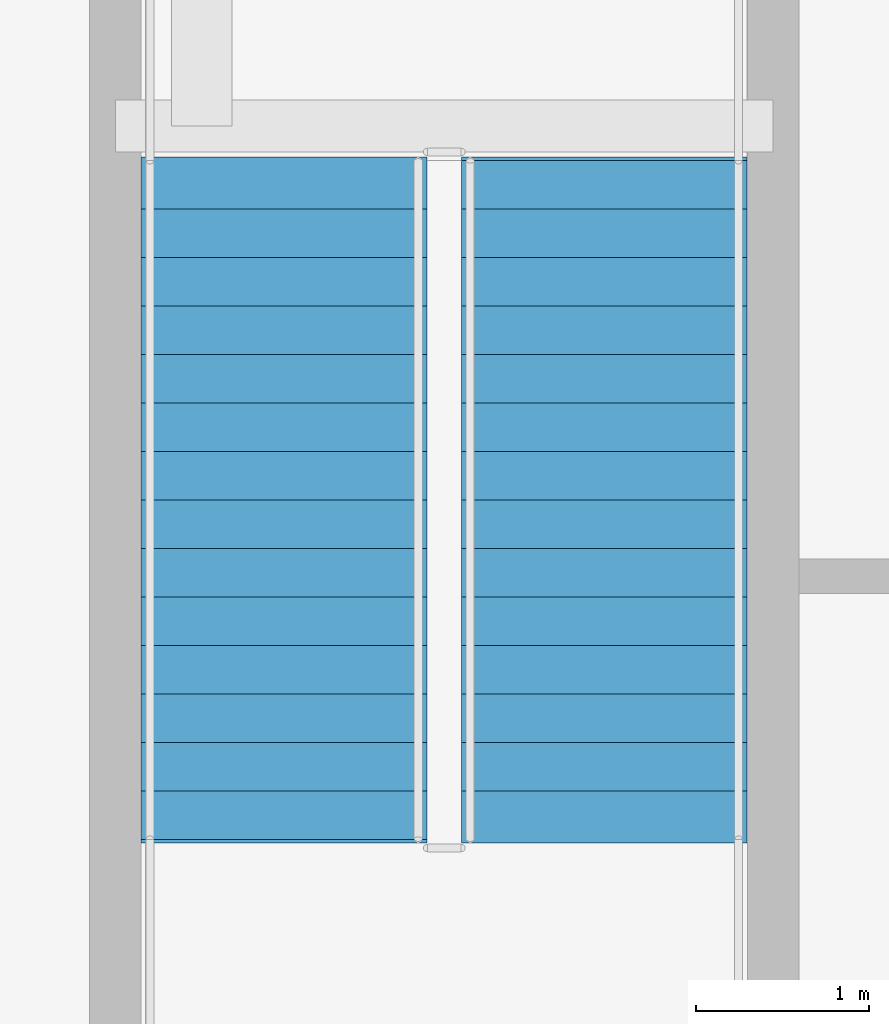
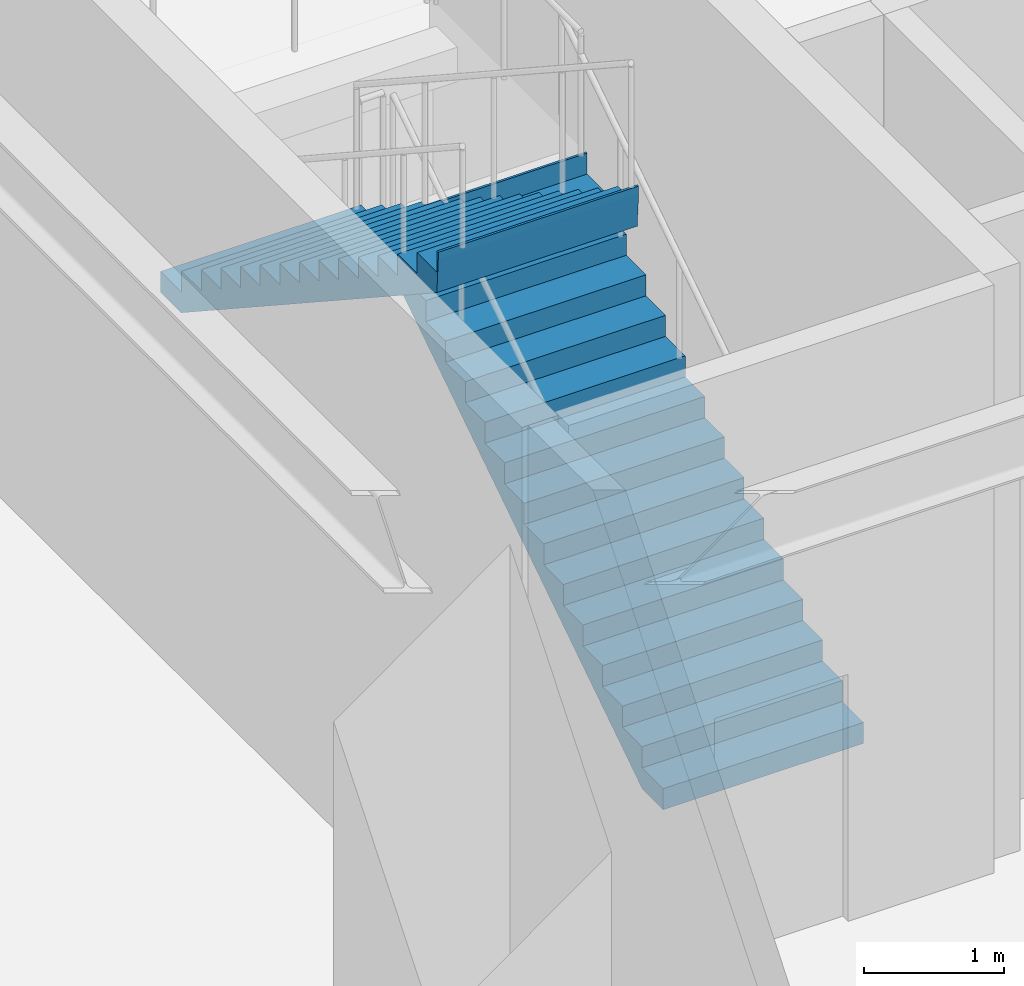
# One storey, part 9 of 15: 2 stair flights, 1 element without a shape of its own.
"""IFC4 building model written with IfcOpenShell, lengths in metres."""

from ifc_helpers import new_model, si_unit, direction, frame, origin, place, context, subcontext, project, spatial, polygons, material, type_object, element, aggregate, save


model = new_model("IFC4")

# Units and contexts
model_context = context("Model", 3, precision=1e-05, world=origin(), true_north=direction((0.0, 1.0)))
body_context = subcontext(model_context, "Body", "Model", "MODEL_VIEW")
ifc_project = project(units=[si_unit("LENGTHUNIT", "METRE"), si_unit("AREAUNIT", "SQUARE_METRE"), si_unit("VOLUMEUNIT", "CUBIC_METRE"), si_unit("PLANEANGLEUNIT", "RADIAN"), si_unit("MASSUNIT", "GRAM", prefix="KILO")], contexts=[model_context])

# Site, building, storey
site_placement = place(None, origin())
site = spatial("IfcSite", under=ifc_project, at=site_placement, CompositionType="ELEMENT")
building_placement = place(site_placement, origin())
building = spatial("IfcBuilding", under=site, at=building_placement, Name="Serunith Strait Residences", CompositionType="ELEMENT")
storey_placement = place(building_placement, origin())
storey = spatial("IfcBuildingStorey", under=building, at=storey_placement, Name="L00", CompositionType="ELEMENT", Elevation=0.0)

# Stair, stair flights
ifc_material = material(Name="Concrete C50/60", Category="concrete")
stair_type = type_object("IfcStairType", Name="STR-POD-3", PredefinedType="HALF_TURN_STAIR", material=ifc_material)
stair_placement = place(storey_placement, origin())
stair = element("IfcStair", 1, at=stair_placement, inside=storey, type_object=stair_type, Name="L00 Podium Escape Stair ST-3", PredefinedType="HALF_TURN_STAIR")
stair_flight_type = type_object("IfcStairFlightType", Name="FLT-POD-3", PredefinedType="STRAIGHT", material=ifc_material)
stair_flight_1_placement = place(storey_placement, frame((16.875, 36.8798828125, 0.0), z_axis=(0.0, 0.0, 1.0), x_axis=(0.0, 1.0, 0.0)))
stair_flight_1 = element("IfcStairFlight", 2, at=stair_flight_1_placement, type_object=stair_flight_type, Name="ST-3 flight 1", NumberOfRisers=15, NumberOfTreads=14, PredefinedType="STRAIGHT", RiserHeight=0.183333333, TreadLength=0.28, context=body_context, shape_type="Tessellation", body=[
    polygons([(-0.02001953125, -0.824951171875, 0.0), (-0.02001953125, -0.824951171875, 0.183349609375), (0.280029296875, -0.824951171875, 0.183349609375), (0.280029296875, -0.824951171875, 0.36669921875), (0.56005859375, -0.824951171875, 0.36669921875), (0.56005859375, -0.824951171875, 0.550048828125), (0.840087890625, -0.824951171875, 0.550048828125), (0.840087890625, -0.824951171875, 0.7333984375), (1.1201171875, -0.824951171875, 0.7333984375), (1.1201171875, -0.824951171875, 0.916748046875), (1.39990234375, -0.824951171875, 0.916748046875), (1.39990234375, -0.824951171875, 1.10009765625), (1.679931640625, -0.824951171875, 1.10009765625), (1.679931640625, -0.824951171875, 1.283447265625), (1.9599609375, -0.824951171875, 1.283447265625), (1.9599609375, -0.824951171875, 1.466552734375), (2.239990234375, -0.824951171875, 1.466552734375), (2.239990234375, -0.824951171875, 1.64990234375), (2.52001953125, -0.824951171875, 1.64990234375), (2.52001953125, -0.824951171875, 1.833251953125), (2.800048828125, -0.824951171875, 1.833251953125), (2.800048828125, -0.824951171875, 2.0166015625), (3.080078125, -0.824951171875, 2.0166015625), (3.080078125, -0.824951171875, 2.199951171875), (3.360107421875, -0.824951171875, 2.199951171875), (3.360107421875, -0.824951171875, 2.38330078125), (3.639892578125, -0.824951171875, 2.38330078125), (3.639892578125, -0.824951171875, 2.566650390625), (3.919921875, -0.824951171875, 2.566650390625), (3.919921875, -0.824951171875, 2.75), (3.93994140625, -0.824951171875, 2.75), (3.93994140625, -0.824951171875, 2.68994140625), (3.919921875, -0.824951171875, 2.387451171875), (0.273681640625, -0.824951171875, 0.0), (-0.02001953125, -0.41259765625, 0.0), (-0.02001953125, -0.41259765625, 0.183349609375), (0.280029296875, -0.41259765625, 0.183349609375), (0.280029296875, -0.41259765625, 0.36669921875), (0.56005859375, -0.41259765625, 0.36669921875), (0.56005859375, -0.41259765625, 0.550048828125), (0.840087890625, -0.41259765625, 0.550048828125), (0.840087890625, -0.41259765625, 0.7333984375), (1.1201171875, -0.41259765625, 0.7333984375), (1.1201171875, -0.41259765625, 0.916748046875), (1.39990234375, -0.41259765625, 0.916748046875), (1.39990234375, -0.41259765625, 1.10009765625), (1.679931640625, -0.41259765625, 1.10009765625), (1.679931640625, -0.41259765625, 1.283447265625), (1.9599609375, -0.41259765625, 1.283447265625), (1.9599609375, -0.41259765625, 1.466552734375), (2.239990234375, -0.41259765625, 1.466552734375), (2.239990234375, -0.41259765625, 1.64990234375), (2.52001953125, -0.41259765625, 1.64990234375), (2.52001953125, -0.41259765625, 1.833251953125), (2.800048828125, -0.41259765625, 1.833251953125), (2.800048828125, -0.41259765625, 2.0166015625), (3.080078125, -0.41259765625, 2.0166015625), (3.080078125, -0.41259765625, 2.199951171875), (3.360107421875, -0.41259765625, 2.199951171875), (3.360107421875, -0.41259765625, 2.38330078125), (3.639892578125, -0.41259765625, 2.38330078125), (3.639892578125, -0.41259765625, 2.566650390625), (3.919921875, -0.41259765625, 2.566650390625), (3.919921875, -0.41259765625, 2.75), (3.93994140625, -0.41259765625, 2.75), (3.93994140625, -0.41259765625, 2.68994140625), (3.919921875, -0.41259765625, 2.387451171875), (0.273681640625, -0.41259765625, 0.0), (-0.02001953125, 0.0, 0.0), (-0.02001953125, 0.0, 0.183349609375), (0.280029296875, 0.0, 0.183349609375), (0.280029296875, 0.0, 0.36669921875), (0.56005859375, 0.0, 0.36669921875), (0.56005859375, 0.0, 0.550048828125), (0.840087890625, 0.0, 0.550048828125), (0.840087890625, 0.0, 0.7333984375), (1.1201171875, 0.0, 0.7333984375), (1.1201171875, 0.0, 0.916748046875), (1.39990234375, 0.0, 0.916748046875), (1.39990234375, 0.0, 1.10009765625), (1.679931640625, 0.0, 1.10009765625), (1.679931640625, 0.0, 1.283447265625), (1.9599609375, 0.0, 1.283447265625), (1.9599609375, 0.0, 1.466552734375), (2.239990234375, 0.0, 1.466552734375), (2.239990234375, 0.0, 1.64990234375), (2.52001953125, 0.0, 1.64990234375), (2.52001953125, 0.0, 1.833251953125), (2.800048828125, 0.0, 1.833251953125), (2.800048828125, 0.0, 2.0166015625), (3.080078125, 0.0, 2.0166015625), (3.080078125, 0.0, 2.199951171875), (3.360107421875, 0.0, 2.199951171875), (3.360107421875, 0.0, 2.38330078125), (3.639892578125, 0.0, 2.38330078125), (3.639892578125, 0.0, 2.566650390625), (3.919921875, 0.0, 2.566650390625), (3.919921875, 0.0, 2.75), (3.93994140625, 0.0, 2.75), (3.93994140625, 0.0, 2.68994140625), (3.919921875, 0.0, 2.387451171875), (0.273681640625, 0.0, 0.0), (-0.02001953125, 0.41259765625, 0.0), (-0.02001953125, 0.41259765625, 0.183349609375), (0.280029296875, 0.41259765625, 0.183349609375), (0.280029296875, 0.41259765625, 0.36669921875), (0.56005859375, 0.41259765625, 0.36669921875), (0.56005859375, 0.41259765625, 0.550048828125), (0.840087890625, 0.41259765625, 0.550048828125), (0.840087890625, 0.41259765625, 0.7333984375), (1.1201171875, 0.41259765625, 0.7333984375), (1.1201171875, 0.41259765625, 0.916748046875), (1.39990234375, 0.41259765625, 0.916748046875), (1.39990234375, 0.41259765625, 1.10009765625), (1.679931640625, 0.41259765625, 1.10009765625), (1.679931640625, 0.41259765625, 1.283447265625), (1.9599609375, 0.41259765625, 1.283447265625), (1.9599609375, 0.41259765625, 1.466552734375), (2.239990234375, 0.41259765625, 1.466552734375), (2.239990234375, 0.41259765625, 1.64990234375), (2.52001953125, 0.41259765625, 1.64990234375), (2.52001953125, 0.41259765625, 1.833251953125), (2.800048828125, 0.41259765625, 1.833251953125), (2.800048828125, 0.41259765625, 2.0166015625), (3.080078125, 0.41259765625, 2.0166015625), (3.080078125, 0.41259765625, 2.199951171875), (3.360107421875, 0.41259765625, 2.199951171875), (3.360107421875, 0.41259765625, 2.38330078125), (3.639892578125, 0.41259765625, 2.38330078125), (3.639892578125, 0.41259765625, 2.566650390625), (3.919921875, 0.41259765625, 2.566650390625), (3.919921875, 0.41259765625, 2.75), (3.93994140625, 0.41259765625, 2.75), (3.93994140625, 0.41259765625, 2.68994140625), (3.919921875, 0.41259765625, 2.387451171875), (0.273681640625, 0.41259765625, 0.0), (-0.02001953125, 0.824951171875, 0.0), (-0.02001953125, 0.824951171875, 0.183349609375), (0.280029296875, 0.824951171875, 0.183349609375), (0.280029296875, 0.824951171875, 0.36669921875), (0.56005859375, 0.824951171875, 0.36669921875), (0.56005859375, 0.824951171875, 0.550048828125), (0.840087890625, 0.824951171875, 0.550048828125), (0.840087890625, 0.824951171875, 0.7333984375), (1.1201171875, 0.824951171875, 0.7333984375), (1.1201171875, 0.824951171875, 0.916748046875), (1.39990234375, 0.824951171875, 0.916748046875), (1.39990234375, 0.824951171875, 1.10009765625), (1.679931640625, 0.824951171875, 1.10009765625), (1.679931640625, 0.824951171875, 1.283447265625), (1.9599609375, 0.824951171875, 1.283447265625), (1.9599609375, 0.824951171875, 1.466552734375), (2.239990234375, 0.824951171875, 1.466552734375), (2.239990234375, 0.824951171875, 1.64990234375), (2.52001953125, 0.824951171875, 1.64990234375), (2.52001953125, 0.824951171875, 1.833251953125), (2.800048828125, 0.824951171875, 1.833251953125), (2.800048828125, 0.824951171875, 2.0166015625), (3.080078125, 0.824951171875, 2.0166015625), (3.080078125, 0.824951171875, 2.199951171875), (3.360107421875, 0.824951171875, 2.199951171875), (3.360107421875, 0.824951171875, 2.38330078125), (3.639892578125, 0.824951171875, 2.38330078125), (3.639892578125, 0.824951171875, 2.566650390625), (3.919921875, 0.824951171875, 2.566650390625), (3.919921875, 0.824951171875, 2.75), (3.93994140625, 0.824951171875, 2.75), (3.93994140625, 0.824951171875, 2.68994140625), (3.919921875, 0.824951171875, 2.387451171875), (0.273681640625, 0.824951171875, 0.0)], [[[1, 2, 36, 35]], [[2, 3, 37, 36]], [[3, 4, 38, 37]], [[4, 5, 39, 38]], [[5, 6, 40, 39]], [[6, 7, 41, 40]], [[7, 8, 42, 41]], [[8, 9, 43, 42]], [[9, 10, 44, 43]], [[10, 11, 45, 44]], [[11, 12, 46, 45]], [[12, 13, 47, 46]], [[13, 14, 48, 47]], [[14, 15, 49, 48]], [[15, 16, 50, 49]], [[16, 17, 51, 50]], [[17, 18, 52, 51]], [[18, 19, 53, 52]], [[19, 20, 54, 53]], [[20, 21, 55, 54]], [[21, 22, 56, 55]], [[22, 23, 57, 56]], [[23, 24, 58, 57]], [[24, 25, 59, 58]], [[25, 26, 60, 59]], [[26, 27, 61, 60]], [[27, 28, 62, 61]], [[28, 29, 63, 62]], [[29, 30, 64, 63]], [[30, 31, 65, 64]], [[31, 32, 66, 65]], [[32, 33, 67, 66]], [[33, 34, 68, 67]], [[34, 1, 35, 68]], [[35, 36, 70, 69]], [[36, 37, 71, 70]], [[37, 38, 72, 71]], [[38, 39, 73, 72]], [[39, 40, 74, 73]], [[40, 41, 75, 74]], [[41, 42, 76, 75]], [[42, 43, 77, 76]], [[43, 44, 78, 77]], [[44, 45, 79, 78]], [[45, 46, 80, 79]], [[46, 47, 81, 80]], [[47, 48, 82, 81]], [[48, 49, 83, 82]], [[49, 50, 84, 83]], [[50, 51, 85, 84]], [[51, 52, 86, 85]], [[52, 53, 87, 86]], [[53, 54, 88, 87]], [[54, 55, 89, 88]], [[55, 56, 90, 89]], [[56, 57, 91, 90]], [[57, 58, 92, 91]], [[58, 59, 93, 92]], [[59, 60, 94, 93]], [[60, 61, 95, 94]], [[61, 62, 96, 95]], [[62, 63, 97, 96]], [[63, 64, 98, 97]], [[64, 65, 99, 98]], [[65, 66, 100, 99]], [[66, 67, 101, 100]], [[67, 68, 102, 101]], [[68, 35, 69, 102]], [[69, 70, 104, 103]], [[70, 71, 105, 104]], [[71, 72, 106, 105]], [[72, 73, 107, 106]], [[73, 74, 108, 107]], [[74, 75, 109, 108]], [[75, 76, 110, 109]], [[76, 77, 111, 110]], [[77, 78, 112, 111]], [[78, 79, 113, 112]], [[79, 80, 114, 113]], [[80, 81, 115, 114]], [[81, 82, 116, 115]], [[82, 83, 117, 116]], [[83, 84, 118, 117]], [[84, 85, 119, 118]], [[85, 86, 120, 119]], [[86, 87, 121, 120]], [[87, 88, 122, 121]], [[88, 89, 123, 122]], [[89, 90, 124, 123]], [[90, 91, 125, 124]], [[91, 92, 126, 125]], [[92, 93, 127, 126]], [[93, 94, 128, 127]], [[94, 95, 129, 128]], [[95, 96, 130, 129]], [[96, 97, 131, 130]], [[97, 98, 132, 131]], [[98, 99, 133, 132]], [[99, 100, 134, 133]], [[100, 101, 135, 134]], [[101, 102, 136, 135]], [[102, 69, 103, 136]], [[103, 104, 138, 137]], [[104, 105, 139, 138]], [[105, 106, 140, 139]], [[106, 107, 141, 140]], [[107, 108, 142, 141]], [[108, 109, 143, 142]], [[109, 110, 144, 143]], [[110, 111, 145, 144]], [[111, 112, 146, 145]], [[112, 113, 147, 146]], [[113, 114, 148, 147]], [[114, 115, 149, 148]], [[115, 116, 150, 149]], [[116, 117, 151, 150]], [[117, 118, 152, 151]], [[118, 119, 153, 152]], [[119, 120, 154, 153]], [[120, 121, 155, 154]], [[121, 122, 156, 155]], [[122, 123, 157, 156]], [[123, 124, 158, 157]], [[124, 125, 159, 158]], [[125, 126, 160, 159]], [[126, 127, 161, 160]], [[127, 128, 162, 161]], [[128, 129, 163, 162]], [[129, 130, 164, 163]], [[130, 131, 165, 164]], [[131, 132, 166, 165]], [[132, 133, 167, 166]], [[133, 134, 168, 167]], [[134, 135, 169, 168]], [[135, 136, 170, 169]], [[136, 103, 137, 170]], [[34, 33, 32, 31, 30, 29, 28, 27, 26, 25, 24, 23, 22, 21, 20, 19, 18, 17, 16, 15, 14, 13, 12, 11, 10, 9, 8, 7, 6, 5, 4, 3, 2, 1]], [[137, 138, 139, 140, 141, 142, 143, 144, 145, 146, 147, 148, 149, 150, 151, 152, 153, 154, 155, 156, 157, 158, 159, 160, 161, 162, 163, 164, 165, 166, 167, 168, 169, 170]]], closed=True),
])
stair_flight_2_placement = place(storey_placement, frame((15.02490234375, 40.800048828125, 2.75), z_axis=(0.0, 0.0, 1.0), x_axis=(0.0, -1.0, 0.0)))
stair_flight_2 = element("IfcStairFlight", 3, at=stair_flight_2_placement, type_object=stair_flight_type, Name="ST-3 flight 2", NumberOfRisers=15, NumberOfTreads=14, PredefinedType="STRAIGHT", RiserHeight=0.183333333, TreadLength=0.28, context=body_context, shape_type="Tessellation", body=[
    polygons([(-0.02001953125, -0.824951171875, 0.0), (-0.02001953125, -0.824951171875, 0.183349609375), (0.280029296875, -0.824951171875, 0.183349609375), (0.280029296875, -0.824951171875, 0.36669921875), (0.56005859375, -0.824951171875, 0.36669921875), (0.56005859375, -0.824951171875, 0.550048828125), (0.840087890625, -0.824951171875, 0.550048828125), (0.840087890625, -0.824951171875, 0.7333984375), (1.1201171875, -0.824951171875, 0.7333984375), (1.1201171875, -0.824951171875, 0.916748046875), (1.39990234375, -0.824951171875, 0.916748046875), (1.39990234375, -0.824951171875, 1.10009765625), (1.679931640625, -0.824951171875, 1.10009765625), (1.679931640625, -0.824951171875, 1.283447265625), (1.9599609375, -0.824951171875, 1.283447265625), (1.9599609375, -0.824951171875, 1.466552734375), (2.239990234375, -0.824951171875, 1.466552734375), (2.239990234375, -0.824951171875, 1.64990234375), (2.52001953125, -0.824951171875, 1.64990234375), (2.52001953125, -0.824951171875, 1.833251953125), (2.800048828125, -0.824951171875, 1.833251953125), (2.800048828125, -0.824951171875, 2.0166015625), (3.080078125, -0.824951171875, 2.0166015625), (3.080078125, -0.824951171875, 2.199951171875), (3.360107421875, -0.824951171875, 2.199951171875), (3.360107421875, -0.824951171875, 2.38330078125), (3.639892578125, -0.824951171875, 2.38330078125), (3.639892578125, -0.824951171875, 2.566650390625), (3.919921875, -0.824951171875, 2.566650390625), (3.919921875, -0.824951171875, 2.75), (3.93994140625, -0.824951171875, 2.75), (3.93994140625, -0.824951171875, 2.68994140625), (3.919921875, -0.824951171875, 2.387451171875), (0.273681640625, -0.824951171875, 0.0), (-0.02001953125, -0.41259765625, 0.0), (-0.02001953125, -0.41259765625, 0.183349609375), (0.280029296875, -0.41259765625, 0.183349609375), (0.280029296875, -0.41259765625, 0.36669921875), (0.56005859375, -0.41259765625, 0.36669921875), (0.56005859375, -0.41259765625, 0.550048828125), (0.840087890625, -0.41259765625, 0.550048828125), (0.840087890625, -0.41259765625, 0.7333984375), (1.1201171875, -0.41259765625, 0.7333984375), (1.1201171875, -0.41259765625, 0.916748046875), (1.39990234375, -0.41259765625, 0.916748046875), (1.39990234375, -0.41259765625, 1.10009765625), (1.679931640625, -0.41259765625, 1.10009765625), (1.679931640625, -0.41259765625, 1.283447265625), (1.9599609375, -0.41259765625, 1.283447265625), (1.9599609375, -0.41259765625, 1.466552734375), (2.239990234375, -0.41259765625, 1.466552734375), (2.239990234375, -0.41259765625, 1.64990234375), (2.52001953125, -0.41259765625, 1.64990234375), (2.52001953125, -0.41259765625, 1.833251953125), (2.800048828125, -0.41259765625, 1.833251953125), (2.800048828125, -0.41259765625, 2.0166015625), (3.080078125, -0.41259765625, 2.0166015625), (3.080078125, -0.41259765625, 2.199951171875), (3.360107421875, -0.41259765625, 2.199951171875), (3.360107421875, -0.41259765625, 2.38330078125), (3.639892578125, -0.41259765625, 2.38330078125), (3.639892578125, -0.41259765625, 2.566650390625), (3.919921875, -0.41259765625, 2.566650390625), (3.919921875, -0.41259765625, 2.75), (3.93994140625, -0.41259765625, 2.75), (3.93994140625, -0.41259765625, 2.68994140625), (3.919921875, -0.41259765625, 2.387451171875), (0.273681640625, -0.41259765625, 0.0), (-0.02001953125, 0.0, 0.0), (-0.02001953125, 0.0, 0.183349609375), (0.280029296875, 0.0, 0.183349609375), (0.280029296875, 0.0, 0.36669921875), (0.56005859375, 0.0, 0.36669921875), (0.56005859375, 0.0, 0.550048828125), (0.840087890625, 0.0, 0.550048828125), (0.840087890625, 0.0, 0.7333984375), (1.1201171875, 0.0, 0.7333984375), (1.1201171875, 0.0, 0.916748046875), (1.39990234375, 0.0, 0.916748046875), (1.39990234375, 0.0, 1.10009765625), (1.679931640625, 0.0, 1.10009765625), (1.679931640625, 0.0, 1.283447265625), (1.9599609375, 0.0, 1.283447265625), (1.9599609375, 0.0, 1.466552734375), (2.239990234375, 0.0, 1.466552734375), (2.239990234375, 0.0, 1.64990234375), (2.52001953125, 0.0, 1.64990234375), (2.52001953125, 0.0, 1.833251953125), (2.800048828125, 0.0, 1.833251953125), (2.800048828125, 0.0, 2.0166015625), (3.080078125, 0.0, 2.0166015625), (3.080078125, 0.0, 2.199951171875), (3.360107421875, 0.0, 2.199951171875), (3.360107421875, 0.0, 2.38330078125), (3.639892578125, 0.0, 2.38330078125), (3.639892578125, 0.0, 2.566650390625), (3.919921875, 0.0, 2.566650390625), (3.919921875, 0.0, 2.75), (3.93994140625, 0.0, 2.75), (3.93994140625, 0.0, 2.68994140625), (3.919921875, 0.0, 2.387451171875), (0.273681640625, 0.0, 0.0), (-0.02001953125, 0.41259765625, 0.0), (-0.02001953125, 0.41259765625, 0.183349609375), (0.280029296875, 0.41259765625, 0.183349609375), (0.280029296875, 0.41259765625, 0.36669921875), (0.56005859375, 0.41259765625, 0.36669921875), (0.56005859375, 0.41259765625, 0.550048828125), (0.840087890625, 0.41259765625, 0.550048828125), (0.840087890625, 0.41259765625, 0.7333984375), (1.1201171875, 0.41259765625, 0.7333984375), (1.1201171875, 0.41259765625, 0.916748046875), (1.39990234375, 0.41259765625, 0.916748046875), (1.39990234375, 0.41259765625, 1.10009765625), (1.679931640625, 0.41259765625, 1.10009765625), (1.679931640625, 0.41259765625, 1.283447265625), (1.9599609375, 0.41259765625, 1.283447265625), (1.9599609375, 0.41259765625, 1.466552734375), (2.239990234375, 0.41259765625, 1.466552734375), (2.239990234375, 0.41259765625, 1.64990234375), (2.52001953125, 0.41259765625, 1.64990234375), (2.52001953125, 0.41259765625, 1.833251953125), (2.800048828125, 0.41259765625, 1.833251953125), (2.800048828125, 0.41259765625, 2.0166015625), (3.080078125, 0.41259765625, 2.0166015625), (3.080078125, 0.41259765625, 2.199951171875), (3.360107421875, 0.41259765625, 2.199951171875), (3.360107421875, 0.41259765625, 2.38330078125), (3.639892578125, 0.41259765625, 2.38330078125), (3.639892578125, 0.41259765625, 2.566650390625), (3.919921875, 0.41259765625, 2.566650390625), (3.919921875, 0.41259765625, 2.75), (3.93994140625, 0.41259765625, 2.75), (3.93994140625, 0.41259765625, 2.68994140625), (3.919921875, 0.41259765625, 2.387451171875), (0.273681640625, 0.41259765625, 0.0), (-0.02001953125, 0.824951171875, 0.0), (-0.02001953125, 0.824951171875, 0.183349609375), (0.280029296875, 0.824951171875, 0.183349609375), (0.280029296875, 0.824951171875, 0.36669921875), (0.56005859375, 0.824951171875, 0.36669921875), (0.56005859375, 0.824951171875, 0.550048828125), (0.840087890625, 0.824951171875, 0.550048828125), (0.840087890625, 0.824951171875, 0.7333984375), (1.1201171875, 0.824951171875, 0.7333984375), (1.1201171875, 0.824951171875, 0.916748046875), (1.39990234375, 0.824951171875, 0.916748046875), (1.39990234375, 0.824951171875, 1.10009765625), (1.679931640625, 0.824951171875, 1.10009765625), (1.679931640625, 0.824951171875, 1.283447265625), (1.9599609375, 0.824951171875, 1.283447265625), (1.9599609375, 0.824951171875, 1.466552734375), (2.239990234375, 0.824951171875, 1.466552734375), (2.239990234375, 0.824951171875, 1.64990234375), (2.52001953125, 0.824951171875, 1.64990234375), (2.52001953125, 0.824951171875, 1.833251953125), (2.800048828125, 0.824951171875, 1.833251953125), (2.800048828125, 0.824951171875, 2.0166015625), (3.080078125, 0.824951171875, 2.0166015625), (3.080078125, 0.824951171875, 2.199951171875), (3.360107421875, 0.824951171875, 2.199951171875), (3.360107421875, 0.824951171875, 2.38330078125), (3.639892578125, 0.824951171875, 2.38330078125), (3.639892578125, 0.824951171875, 2.566650390625), (3.919921875, 0.824951171875, 2.566650390625), (3.919921875, 0.824951171875, 2.75), (3.93994140625, 0.824951171875, 2.75), (3.93994140625, 0.824951171875, 2.68994140625), (3.919921875, 0.824951171875, 2.387451171875), (0.273681640625, 0.824951171875, 0.0)], [[[1, 2, 36, 35]], [[2, 3, 37, 36]], [[3, 4, 38, 37]], [[4, 5, 39, 38]], [[5, 6, 40, 39]], [[6, 7, 41, 40]], [[7, 8, 42, 41]], [[8, 9, 43, 42]], [[9, 10, 44, 43]], [[10, 11, 45, 44]], [[11, 12, 46, 45]], [[12, 13, 47, 46]], [[13, 14, 48, 47]], [[14, 15, 49, 48]], [[15, 16, 50, 49]], [[16, 17, 51, 50]], [[17, 18, 52, 51]], [[18, 19, 53, 52]], [[19, 20, 54, 53]], [[20, 21, 55, 54]], [[21, 22, 56, 55]], [[22, 23, 57, 56]], [[23, 24, 58, 57]], [[24, 25, 59, 58]], [[25, 26, 60, 59]], [[26, 27, 61, 60]], [[27, 28, 62, 61]], [[28, 29, 63, 62]], [[29, 30, 64, 63]], [[30, 31, 65, 64]], [[31, 32, 66, 65]], [[32, 33, 67, 66]], [[33, 34, 68, 67]], [[34, 1, 35, 68]], [[35, 36, 70, 69]], [[36, 37, 71, 70]], [[37, 38, 72, 71]], [[38, 39, 73, 72]], [[39, 40, 74, 73]], [[40, 41, 75, 74]], [[41, 42, 76, 75]], [[42, 43, 77, 76]], [[43, 44, 78, 77]], [[44, 45, 79, 78]], [[45, 46, 80, 79]], [[46, 47, 81, 80]], [[47, 48, 82, 81]], [[48, 49, 83, 82]], [[49, 50, 84, 83]], [[50, 51, 85, 84]], [[51, 52, 86, 85]], [[52, 53, 87, 86]], [[53, 54, 88, 87]], [[54, 55, 89, 88]], [[55, 56, 90, 89]], [[56, 57, 91, 90]], [[57, 58, 92, 91]], [[58, 59, 93, 92]], [[59, 60, 94, 93]], [[60, 61, 95, 94]], [[61, 62, 96, 95]], [[62, 63, 97, 96]], [[63, 64, 98, 97]], [[64, 65, 99, 98]], [[65, 66, 100, 99]], [[66, 67, 101, 100]], [[67, 68, 102, 101]], [[68, 35, 69, 102]], [[69, 70, 104, 103]], [[70, 71, 105, 104]], [[71, 72, 106, 105]], [[72, 73, 107, 106]], [[73, 74, 108, 107]], [[74, 75, 109, 108]], [[75, 76, 110, 109]], [[76, 77, 111, 110]], [[77, 78, 112, 111]], [[78, 79, 113, 112]], [[79, 80, 114, 113]], [[80, 81, 115, 114]], [[81, 82, 116, 115]], [[82, 83, 117, 116]], [[83, 84, 118, 117]], [[84, 85, 119, 118]], [[85, 86, 120, 119]], [[86, 87, 121, 120]], [[87, 88, 122, 121]], [[88, 89, 123, 122]], [[89, 90, 124, 123]], [[90, 91, 125, 124]], [[91, 92, 126, 125]], [[92, 93, 127, 126]], [[93, 94, 128, 127]], [[94, 95, 129, 128]], [[95, 96, 130, 129]], [[96, 97, 131, 130]], [[97, 98, 132, 131]], [[98, 99, 133, 132]], [[99, 100, 134, 133]], [[100, 101, 135, 134]], [[101, 102, 136, 135]], [[102, 69, 103, 136]], [[103, 104, 138, 137]], [[104, 105, 139, 138]], [[105, 106, 140, 139]], [[106, 107, 141, 140]], [[107, 108, 142, 141]], [[108, 109, 143, 142]], [[109, 110, 144, 143]], [[110, 111, 145, 144]], [[111, 112, 146, 145]], [[112, 113, 147, 146]], [[113, 114, 148, 147]], [[114, 115, 149, 148]], [[115, 116, 150, 149]], [[116, 117, 151, 150]], [[117, 118, 152, 151]], [[118, 119, 153, 152]], [[119, 120, 154, 153]], [[120, 121, 155, 154]], [[121, 122, 156, 155]], [[122, 123, 157, 156]], [[123, 124, 158, 157]], [[124, 125, 159, 158]], [[125, 126, 160, 159]], [[126, 127, 161, 160]], [[127, 128, 162, 161]], [[128, 129, 163, 162]], [[129, 130, 164, 163]], [[130, 131, 165, 164]], [[131, 132, 166, 165]], [[132, 133, 167, 166]], [[133, 134, 168, 167]], [[134, 135, 169, 168]], [[135, 136, 170, 169]], [[136, 103, 137, 170]], [[34, 33, 32, 31, 30, 29, 28, 27, 26, 25, 24, 23, 22, 21, 20, 19, 18, 17, 16, 15, 14, 13, 12, 11, 10, 9, 8, 7, 6, 5, 4, 3, 2, 1]], [[137, 138, 139, 140, 141, 142, 143, 144, 145, 146, 147, 148, 149, 150, 151, 152, 153, 154, 155, 156, 157, 158, 159, 160, 161, 162, 163, 164, 165, 166, 167, 168, 169, 170]]], closed=True),
])
aggregate(stair, [stair_flight_1, stair_flight_2])

save(model, "model.ifc")
